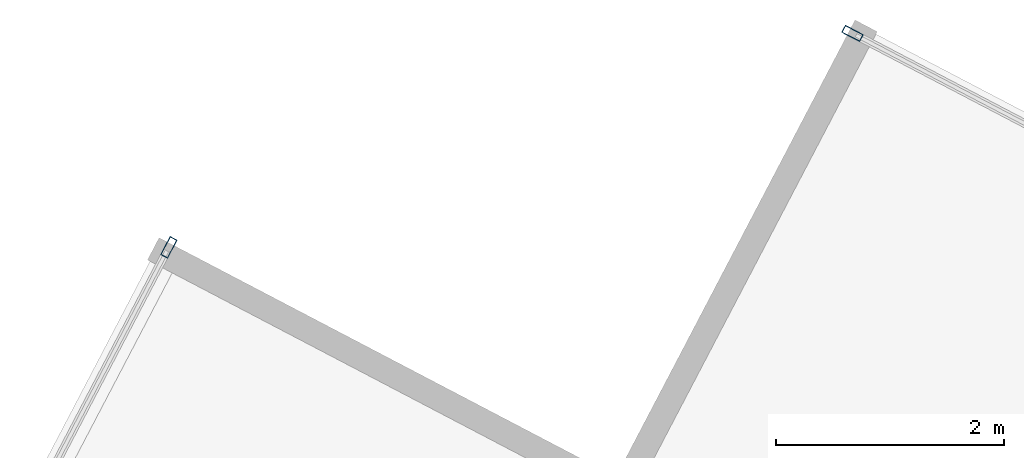
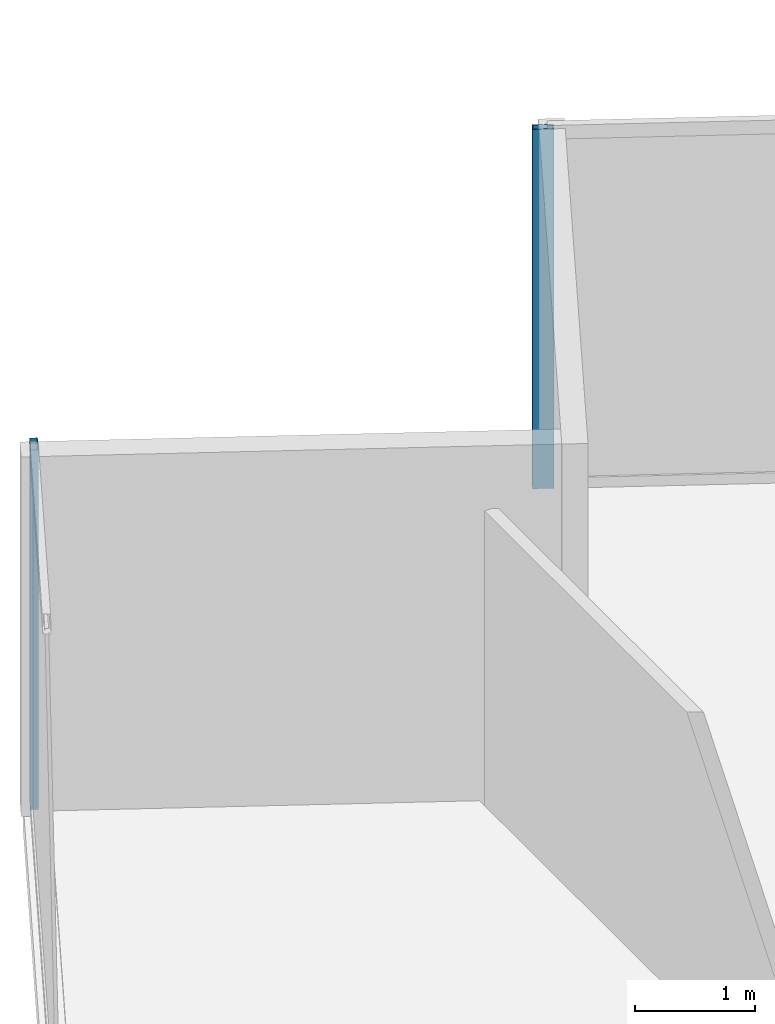
# One storey, part 16 of 27: 2 members, 2 elements without a shape of their own.
"""IFC4 building model written with IfcOpenShell, lengths in metres."""

from ifc_helpers import new_model, si_unit, direction, frame, origin, origin_2d, place, context, subcontext, project, spatial, hollow_rectangle, extrude, source, transform, mapped, material, material_profile, profile_set, type_object, type_shapes, element, aggregate, save


model = new_model("IFC4")

# Units and contexts
model_context = context("Model", 3, precision=1e-05, world=origin(), true_north=direction((0.0, 1.0)))
body_context = subcontext(model_context, "Body", "Model", "MODEL_VIEW")
ifc_project = project(units=[si_unit("LENGTHUNIT", "METRE"), si_unit("AREAUNIT", "SQUARE_METRE"), si_unit("VOLUMEUNIT", "CUBIC_METRE"), si_unit("PLANEANGLEUNIT", "RADIAN"), si_unit("MASSUNIT", "GRAM", prefix="KILO")], contexts=[model_context])

# Site, building, storey
site_placement = place(None, origin())
site = spatial("IfcSite", under=ifc_project, at=site_placement, CompositionType="ELEMENT")
building_placement = place(site_placement, origin())
building = spatial("IfcBuilding", under=site, at=building_placement, Name="Krantzveldt Concourse Tower", CompositionType="ELEMENT")
storey_placement = place(building_placement, frame((0.0, 0.0, 150.14990234375)))
storey = spatial("IfcBuildingStorey", under=building, at=storey_placement, Name="L36", CompositionType="ELEMENT", Elevation=150.14990234375)

# Curtain wall, member
ifc_material = material(Name="Anodised aluminium 6063-T6", Category="aluminium")
curtain_wall_type = type_object("IfcCurtainWallType", Name="CW3", PredefinedType="USERDEFINED", material=ifc_material)
curtain_wall_1_placement = place(storey_placement, origin())
curtain_wall_1 = element("IfcCurtainWall", 1, at=curtain_wall_1_placement, inside=storey, type_object=curtain_wall_type, Name="CW-L36-F01", ObjectType="UNITISED CURTAIN WALL", PredefinedType="USERDEFINED")
ifc_material_profile = material_profile(ifc_material, hollow_rectangle(XDim=0.070068359375, YDim=0.179931640625, WallThickness=0.0048828125, at=origin_2d()), Name="Anodised aluminium 6063-T6", Category="aluminium")
ifc_profile_set = profile_set([ifc_material_profile], Name="Anodised aluminium 6063-T6 - ALU-MULL 180x70x5")
member_type = type_object("IfcMemberType", Name="CW-MUL-180", PredefinedType="MULLION", material=ifc_profile_set)
shared_shape = source(origin(), body_context, "Body", "SweptSolid", [
    extrude(hollow_rectangle(XDim=0.070068359375, YDim=0.179931640625, WallThickness=0.0048828125, at=origin_2d()), origin(), (0.0, 0.0, 1.0), 3.670166015625),
])
type_shapes(member_type, [shared_shape])
member_1_placement = place(storey_placement, frame((24.728271484375, 52.1982421875, 0.0), z_axis=(0.0, 0.0, 1.0), x_axis=(0.886001265743, -0.463682819502, 0.0)))
member_1 = element("IfcMember", 2, at=member_1_placement, type_object=member_type, Name="CW-Z34 mullion 1", PredefinedType="MULLION", context=body_context, shape_type="MappedRepresentation", body=[
    mapped(shared_shape, transform((0.0, 0.0, 0.0), x_axis=(1.0, 0.0, 0.0), y_axis=(0.0, 1.0, 0.0), z_axis=(0.0, 0.0, 1.0), scale=1.0)),
])
aggregate(curtain_wall_1, [member_1])

curtain_wall_2_placement = place(storey_placement, origin())
curtain_wall_2 = element("IfcCurtainWall", 3, at=curtain_wall_2_placement, inside=storey, type_object=curtain_wall_type, Name="CW-L36-F10", ObjectType="UNITISED CURTAIN WALL", PredefinedType="USERDEFINED")
member_2_placement = place(storey_placement, frame((30.7275390625, 54.075439453125, 0.0), z_axis=(0.0, 0.0, 1.0), x_axis=(-0.463682819502, -0.886001265743, 0.0)))
member_2 = element("IfcMember", 4, at=member_2_placement, type_object=member_type, Name="CW-Z34 mullion 6", PredefinedType="MULLION", context=body_context, shape_type="MappedRepresentation", body=[
    mapped(shared_shape, transform((0.0, 0.0, 0.0), x_axis=(1.0, 0.0, 0.0), y_axis=(0.0, 1.0, 0.0), z_axis=(0.0, 0.0, 1.0), scale=1.0)),
])
aggregate(curtain_wall_2, [member_2])

save(model, "model.ifc")
